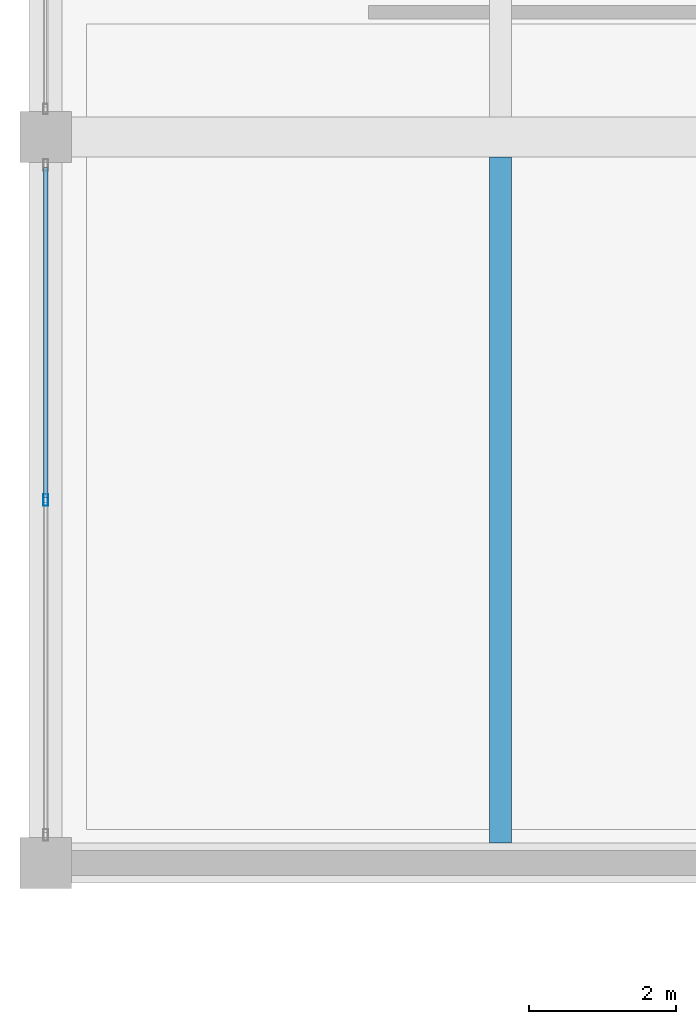
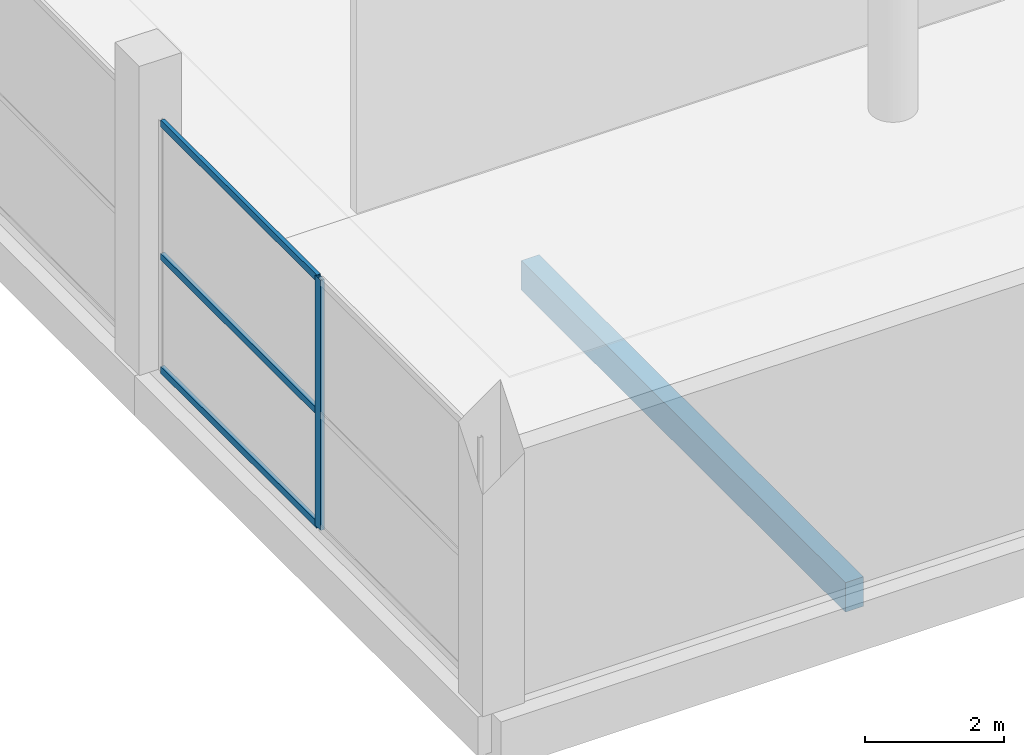
# One storey, part 16 of 74: 4 members, 1 beam, 1 element without a shape of its own.
"""IFC4 building model written with IfcOpenShell, lengths in metres."""

from ifc_helpers import new_model, si_unit, direction, frame, origin, origin_2d, place, context, subcontext, project, spatial, rectangle, hollow_rectangle, extrude, material, layer, layer_set, material_profile, profile_set, type_object, element, aggregate, save


model = new_model("IFC4")

# Units and contexts
model_context = context("Model", 3, precision=1e-05, world=origin(), true_north=direction((0.0, 1.0)))
body_context = subcontext(model_context, "Body", "Model", "MODEL_VIEW")
ifc_project = project(units=[si_unit("LENGTHUNIT", "METRE"), si_unit("AREAUNIT", "SQUARE_METRE"), si_unit("VOLUMEUNIT", "CUBIC_METRE"), si_unit("PLANEANGLEUNIT", "RADIAN"), si_unit("MASSUNIT", "GRAM", prefix="KILO")], contexts=[model_context])

# Site, building, storey
site_placement = place(None, origin())
site = spatial("IfcSite", under=ifc_project, at=site_placement, CompositionType="ELEMENT")
building_placement = place(site_placement, origin())
building = spatial("IfcBuilding", under=site, at=building_placement, Name="Sillaruma Civic Art Gallery", CompositionType="ELEMENT")
storey_placement = place(building_placement, frame((0.0, 0.0, 5.43994140625)))
storey = spatial("IfcBuildingStorey", under=building, at=storey_placement, Name="L01", CompositionType="ELEMENT", Elevation=5.43994140625)

# Beam
ifc_material_1 = material(Name="Concrete H35 (35 MPa)", Category="concrete")
ifc_material_profile_1 = material_profile(ifc_material_1, rectangle(XDim=0.300048828125, YDim=0.52001953125, at=origin_2d()), Name="RCB300x520")
ifc_profile_set_1 = profile_set([ifc_material_profile_1], Name="Concrete H35 (35 MPa)")
beam_type = type_object("IfcBeamType", Name="BM-JOIST-RCB300x520", PredefinedType="JOIST", material=ifc_profile_set_1)
beam_placement = place(storey_placement, frame((6.199951171875, 79.47509765625, -0.52001953125), z_axis=(0.0, 1.0, 0.0), x_axis=(-1.0, 0.0, 0.0)))
element("IfcBeam", 1, at=beam_placement, inside=storey, type_object=beam_type, Name="Floor Joist JR-01 (L00:AB:9-10)", PredefinedType="JOIST", context=body_context, shape_type="SweptSolid", body=[
    extrude(rectangle(XDim=0.300048828125, YDim=0.52001953125, at=origin_2d()), origin(), (0.0, 0.0, 1.0), 9.349853515625),
])

# Curtain wall, members
ifc_material_2 = material(Name="Thermally Broken Extruded Aluminium 6063-T6", Category="aluminium")
ifc_layer = layer(ifc_material_2, 0.159912109375, Name="Thermally Broken Extruded Aluminium 6063-T6")
ifc_layer_set = layer_set([ifc_layer], Name="Thermally Broken Extruded Aluminium 6063-T6")
curtain_wall_type = type_object("IfcCurtainWallType", Name="CW-UNI-07", PredefinedType="NOTDEFINED", material=ifc_layer_set)
curtain_wall_placement = place(storey_placement, origin())
curtain_wall = element("IfcCurtainWall", 2, at=curtain_wall_placement, inside=storey, type_object=curtain_wall_type, Name="Unitised Curtain Wall CW-07 (CW-L01-WSTR-1)", PredefinedType="NOTDEFINED")
ifc_material_profile_2 = material_profile(ifc_material_2, hollow_rectangle(XDim=0.06494140625, YDim=0.159912109375, WallThickness=0.00390625, at=origin_2d()), Name="CWM65x160")
ifc_profile_set_2 = profile_set([ifc_material_profile_2], Name="Thermally Broken Extruded Aluminium 6063-T6")
member_type_1 = type_object("IfcMemberType", Name="MEM-MUL-CWM65x160", PredefinedType="MULLION", material=ifc_profile_set_2)
member_1_placement = place(storey_placement, frame((0.0, 84.14990234375, 0.0), z_axis=(0.0, 0.0, 1.0), x_axis=(-1.0, 0.0, 0.0)))
member_1 = element("IfcMember", 3, at=member_1_placement, type_object=member_type_1, Name="CW-07 mullion 2", PredefinedType="MULLION", context=body_context, shape_type="SweptSolid", body=[
    extrude(hollow_rectangle(XDim=0.06494140625, YDim=0.159912109375, WallThickness=0.00390625, at=origin_2d()), origin(), (0.0, 0.0, 1.0), 4.400146484375),
])
ifc_material_profile_3 = material_profile(ifc_material_2, hollow_rectangle(XDim=0.06494140625, YDim=0.1201171875, WallThickness=0.00341796875, at=origin_2d()), Name="CWT65x120")
ifc_profile_set_3 = profile_set([ifc_material_profile_3], Name="Thermally Broken Extruded Aluminium 6063-T6")
member_type_2 = type_object("IfcMemberType", Name="MEM-TRN-CWT65x120", PredefinedType="USERDEFINED", material=ifc_profile_set_3)
member_2_placement = place(storey_placement, frame((0.0, 84.1826171875, 0.032470703125), z_axis=(0.0, 1.0, 0.0), x_axis=(-1.0, 0.0, 0.0)))
member_2 = element("IfcMember", 4, at=member_2_placement, type_object=member_type_2, Name="CW-07 transom 2.1", ObjectType="TRANSOM", PredefinedType="USERDEFINED", context=body_context, shape_type="SweptSolid", body=[
    extrude(hollow_rectangle(XDim=0.06494140625, YDim=0.1201171875, WallThickness=0.00341796875, at=origin_2d()), origin(), (0.0, 0.0, 1.0), 4.50244140625),
])
member_3_placement = place(storey_placement, frame((0.0, 84.1826171875, 2.024169921875), z_axis=(0.0, 1.0, 0.0), x_axis=(-1.0, 0.0, 0.0)))
member_3 = element("IfcMember", 5, at=member_3_placement, type_object=member_type_2, Name="CW-07 transom 2.2", ObjectType="TRANSOM", PredefinedType="USERDEFINED", context=body_context, shape_type="SweptSolid", body=[
    extrude(hollow_rectangle(XDim=0.06494140625, YDim=0.1201171875, WallThickness=0.00341796875, at=origin_2d()), origin(), (0.0, 0.0, 1.0), 4.50244140625),
])
member_4_placement = place(storey_placement, frame((0.0, 84.1826171875, 4.36767578125), z_axis=(0.0, 1.0, 0.0), x_axis=(-1.0, 0.0, 0.0)))
member_4 = element("IfcMember", 6, at=member_4_placement, type_object=member_type_2, Name="CW-07 transom 2.3", ObjectType="TRANSOM", PredefinedType="USERDEFINED", context=body_context, shape_type="SweptSolid", body=[
    extrude(hollow_rectangle(XDim=0.06494140625, YDim=0.1201171875, WallThickness=0.00341796875, at=origin_2d()), origin(), (0.0, 0.0, 1.0), 4.50244140625),
])
aggregate(curtain_wall, [member_1, member_2, member_3, member_4])

save(model, "model.ifc")
